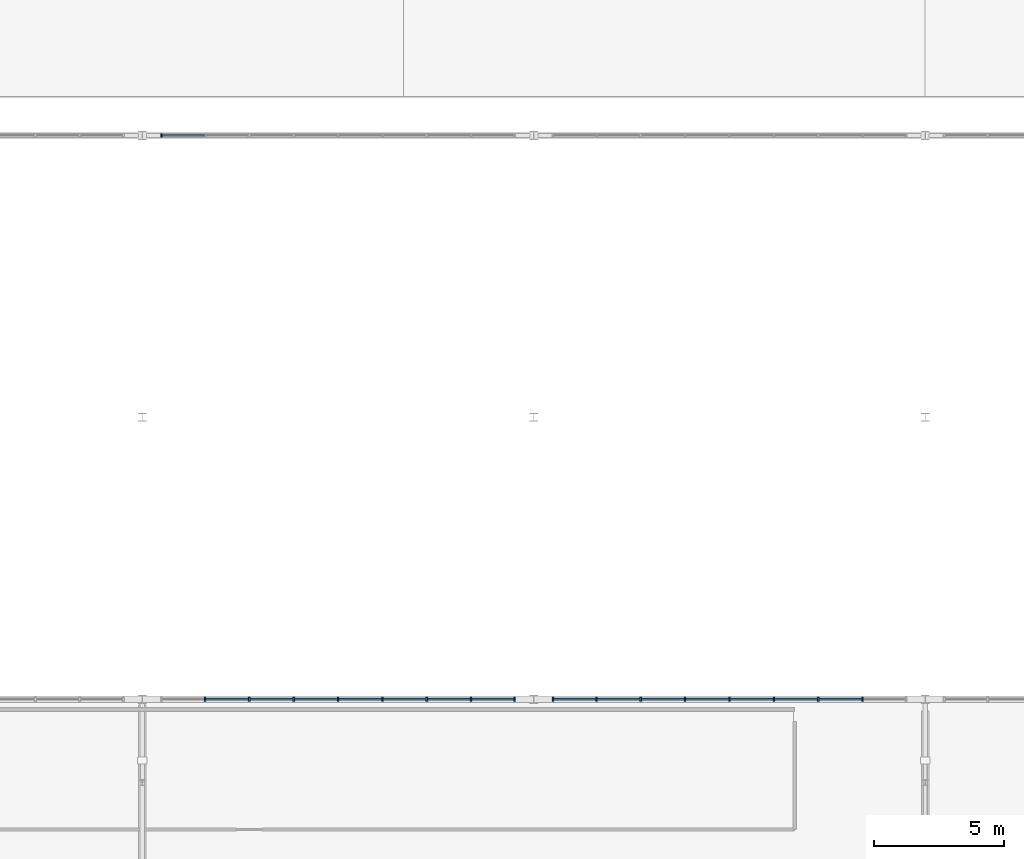
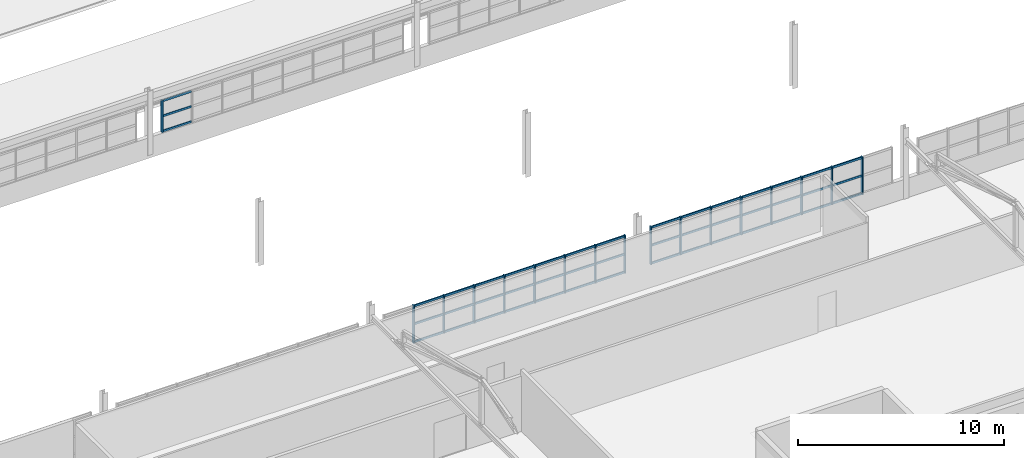
# One storey, part 18 of 90: 62 members, 3 elements without a shape of their own.
"""IFC4 building model written with IfcOpenShell, lengths in metres."""

from ifc_helpers import new_model, si_unit, direction, frame, origin, origin_2d, place, context, subcontext, project, spatial, rectangle, extrude, material, material_profile, profile_set, type_object, element, aggregate, save


model = new_model("IFC4")

# Units and contexts
model_context = context("Model", 3, precision=1e-05, world=origin(), true_north=direction((0.0, 1.0)))
body_context = subcontext(model_context, "Body", "Model", "MODEL_VIEW")
ifc_project = project(units=[si_unit("LENGTHUNIT", "METRE"), si_unit("AREAUNIT", "SQUARE_METRE"), si_unit("VOLUMEUNIT", "CUBIC_METRE"), si_unit("PLANEANGLEUNIT", "RADIAN"), si_unit("MASSUNIT", "GRAM", prefix="KILO")], contexts=[model_context])

# Site, building, storey
site_placement = place(None, origin())
site = spatial("IfcSite", under=ifc_project, at=site_placement, CompositionType="ELEMENT")
building_placement = place(site_placement, origin())
building = spatial("IfcBuilding", under=site, at=building_placement, Name="Solanera Park Tramway Depot", CompositionType="ELEMENT")
storey_placement = place(building_placement, frame((0.0, 0.0, 9.0)))
storey = spatial("IfcBuildingStorey", under=building, at=storey_placement, Name="L02", CompositionType="ELEMENT", Elevation=9.0)

# Curtain wall, member
ifc_material_1 = material(Name="Bronze-anodised thermally broken aluminium curtain wall", Category="aluminium")
curtain_wall_type = type_object("IfcCurtainWallType", Name="Workshop Daylight Ribbon Curtain Wall", PredefinedType="NOTDEFINED", material=ifc_material_1)
curtain_wall_1_placement = place(storey_placement, origin())
curtain_wall_1 = element("IfcCurtainWall", 1, at=curtain_wall_1_placement, inside=storey, type_object=curtain_wall_type, Name="L02 Workshop Daylight Ribbon Curtain Wall #156", PredefinedType="NOTDEFINED")
ifc_material_2 = material(Name="Bronze-anodised structural aluminium 6063-T6", Category="aluminium")
ifc_material_profile_1 = material_profile(ifc_material_2, rectangle(XDim=0.06494140625, YDim=0.14990234375, at=origin_2d()), Name="Curtain Wall Mullion 65x150")
ifc_profile_set_1 = profile_set([ifc_material_profile_1], Name="Bronze-anodised structural aluminium 6063-T6")
member_type_1 = type_object("IfcMemberType", Name="Curtain Wall Mullion 65x150", PredefinedType="MULLION", material=ifc_profile_set_1)
member_1_placement = place(storey_placement, frame((30.732421875, 54.0, 1.0), z_axis=(0.0, 0.0, 1.0), x_axis=(1.0, 0.0, 0.0)))
member_1 = element("IfcMember", 2, at=member_1_placement, type_object=member_type_1, Name="CW-L02-156 Mullion 9", PredefinedType="MULLION", context=body_context, shape_type="SweptSolid", body=[
    extrude(rectangle(XDim=0.06494140625, YDim=0.14990234375, at=origin_2d()), origin(), (0.0, 0.0, 1.0), 1.919921875),
])

# Curtain wall, members
curtain_wall_2_placement = place(storey_placement, origin())
curtain_wall_2 = element("IfcCurtainWall", 3, at=curtain_wall_2_placement, inside=storey, type_object=curtain_wall_type, Name="L02 Workshop Daylight Ribbon Curtain Wall #157", PredefinedType="NOTDEFINED")
member_2_placement = place(storey_placement, frame((32.39990234375, 32.39990234375, 1.0), z_axis=(0.0, 0.0, 1.0), x_axis=(1.0, 0.0, 0.0)))
member_2 = element("IfcMember", 4, at=member_2_placement, type_object=member_type_1, Name="CW-L02-157 Mullion 2", PredefinedType="MULLION", context=body_context, shape_type="SweptSolid", body=[
    extrude(rectangle(XDim=0.06494140625, YDim=0.14990234375, at=origin_2d()), origin(), (0.0, 0.0, 1.0), 2.25),
])
member_3_placement = place(storey_placement, frame((34.10009765625, 32.39990234375, 1.0), z_axis=(0.0, 0.0, 1.0), x_axis=(1.0, 0.0, 0.0)))
member_3 = element("IfcMember", 5, at=member_3_placement, type_object=member_type_1, Name="CW-L02-157 Mullion 3", PredefinedType="MULLION", context=body_context, shape_type="SweptSolid", body=[
    extrude(rectangle(XDim=0.06494140625, YDim=0.14990234375, at=origin_2d()), origin(), (0.0, 0.0, 1.0), 2.25),
])
member_4_placement = place(storey_placement, frame((35.800048828125, 32.39990234375, 1.0), z_axis=(0.0, 0.0, 1.0), x_axis=(1.0, 0.0, 0.0)))
member_4 = element("IfcMember", 6, at=member_4_placement, type_object=member_type_1, Name="CW-L02-157 Mullion 4", PredefinedType="MULLION", context=body_context, shape_type="SweptSolid", body=[
    extrude(rectangle(XDim=0.06494140625, YDim=0.14990234375, at=origin_2d()), origin(), (0.0, 0.0, 1.0), 2.25),
])
member_5_placement = place(storey_placement, frame((37.5, 32.39990234375, 1.0), z_axis=(0.0, 0.0, 1.0), x_axis=(1.0, 0.0, 0.0)))
member_5 = element("IfcMember", 7, at=member_5_placement, type_object=member_type_1, Name="CW-L02-157 Mullion 5", PredefinedType="MULLION", context=body_context, shape_type="SweptSolid", body=[
    extrude(rectangle(XDim=0.06494140625, YDim=0.14990234375, at=origin_2d()), origin(), (0.0, 0.0, 1.0), 2.25),
])
member_6_placement = place(storey_placement, frame((39.199951171875, 32.39990234375, 1.0), z_axis=(0.0, 0.0, 1.0), x_axis=(1.0, 0.0, 0.0)))
member_6 = element("IfcMember", 8, at=member_6_placement, type_object=member_type_1, Name="CW-L02-157 Mullion 6", PredefinedType="MULLION", context=body_context, shape_type="SweptSolid", body=[
    extrude(rectangle(XDim=0.06494140625, YDim=0.14990234375, at=origin_2d()), origin(), (0.0, 0.0, 1.0), 2.25),
])
member_7_placement = place(storey_placement, frame((40.89990234375, 32.39990234375, 1.0), z_axis=(0.0, 0.0, 1.0), x_axis=(1.0, 0.0, 0.0)))
member_7 = element("IfcMember", 9, at=member_7_placement, type_object=member_type_1, Name="CW-L02-157 Mullion 7", PredefinedType="MULLION", context=body_context, shape_type="SweptSolid", body=[
    extrude(rectangle(XDim=0.06494140625, YDim=0.14990234375, at=origin_2d()), origin(), (0.0, 0.0, 1.0), 2.25),
])
member_8_placement = place(storey_placement, frame((42.60009765625, 32.39990234375, 1.0), z_axis=(0.0, 0.0, 1.0), x_axis=(1.0, 0.0, 0.0)))
member_8 = element("IfcMember", 10, at=member_8_placement, type_object=member_type_1, Name="CW-L02-157 Mullion 8", PredefinedType="MULLION", context=body_context, shape_type="SweptSolid", body=[
    extrude(rectangle(XDim=0.06494140625, YDim=0.14990234375, at=origin_2d()), origin(), (0.0, 0.0, 1.0), 2.25),
])
member_9_placement = place(storey_placement, frame((44.267578125, 32.39990234375, 1.0), z_axis=(0.0, 0.0, 1.0), x_axis=(1.0, 0.0, 0.0)))
member_9 = element("IfcMember", 11, at=member_9_placement, type_object=member_type_1, Name="CW-L02-157 Mullion 9", PredefinedType="MULLION", context=body_context, shape_type="SweptSolid", body=[
    extrude(rectangle(XDim=0.06494140625, YDim=0.14990234375, at=origin_2d()), origin(), (0.0, 0.0, 1.0), 2.25),
])

curtain_wall_3_placement = place(storey_placement, origin())
curtain_wall_3 = element("IfcCurtainWall", 12, at=curtain_wall_3_placement, inside=storey, type_object=curtain_wall_type, Name="L02 Workshop Daylight Ribbon Curtain Wall #159", PredefinedType="NOTDEFINED")
member_10_placement = place(storey_placement, frame((45.732421875, 32.39990234375, 1.0), z_axis=(0.0, 0.0, 1.0), x_axis=(1.0, 0.0, 0.0)))
member_10 = element("IfcMember", 13, at=member_10_placement, type_object=member_type_1, Name="CW-L02-159 Mullion 1", PredefinedType="MULLION", context=body_context, shape_type="SweptSolid", body=[
    extrude(rectangle(XDim=0.06494140625, YDim=0.14990234375, at=origin_2d()), origin(), (0.0, 0.0, 1.0), 2.25),
])
member_11_placement = place(storey_placement, frame((47.39990234375, 32.39990234375, 1.0), z_axis=(0.0, 0.0, 1.0), x_axis=(1.0, 0.0, 0.0)))
member_11 = element("IfcMember", 14, at=member_11_placement, type_object=member_type_1, Name="CW-L02-159 Mullion 2", PredefinedType="MULLION", context=body_context, shape_type="SweptSolid", body=[
    extrude(rectangle(XDim=0.06494140625, YDim=0.14990234375, at=origin_2d()), origin(), (0.0, 0.0, 1.0), 2.25),
])
member_12_placement = place(storey_placement, frame((49.10009765625, 32.39990234375, 1.0), z_axis=(0.0, 0.0, 1.0), x_axis=(1.0, 0.0, 0.0)))
member_12 = element("IfcMember", 15, at=member_12_placement, type_object=member_type_1, Name="CW-L02-159 Mullion 3", PredefinedType="MULLION", context=body_context, shape_type="SweptSolid", body=[
    extrude(rectangle(XDim=0.06494140625, YDim=0.14990234375, at=origin_2d()), origin(), (0.0, 0.0, 1.0), 2.25),
])
member_13_placement = place(storey_placement, frame((50.800048828125, 32.39990234375, 1.0), z_axis=(0.0, 0.0, 1.0), x_axis=(1.0, 0.0, 0.0)))
member_13 = element("IfcMember", 16, at=member_13_placement, type_object=member_type_1, Name="CW-L02-159 Mullion 4", PredefinedType="MULLION", context=body_context, shape_type="SweptSolid", body=[
    extrude(rectangle(XDim=0.06494140625, YDim=0.14990234375, at=origin_2d()), origin(), (0.0, 0.0, 1.0), 2.25),
])
member_14_placement = place(storey_placement, frame((52.5, 32.39990234375, 1.0), z_axis=(0.0, 0.0, 1.0), x_axis=(1.0, 0.0, 0.0)))
member_14 = element("IfcMember", 17, at=member_14_placement, type_object=member_type_1, Name="CW-L02-159 Mullion 5", PredefinedType="MULLION", context=body_context, shape_type="SweptSolid", body=[
    extrude(rectangle(XDim=0.06494140625, YDim=0.14990234375, at=origin_2d()), origin(), (0.0, 0.0, 1.0), 2.25),
])
member_15_placement = place(storey_placement, frame((54.199951171875, 32.39990234375, 1.0), z_axis=(0.0, 0.0, 1.0), x_axis=(1.0, 0.0, 0.0)))
member_15 = element("IfcMember", 18, at=member_15_placement, type_object=member_type_1, Name="CW-L02-159 Mullion 6", PredefinedType="MULLION", context=body_context, shape_type="SweptSolid", body=[
    extrude(rectangle(XDim=0.06494140625, YDim=0.14990234375, at=origin_2d()), origin(), (0.0, 0.0, 1.0), 2.25),
])
member_16_placement = place(storey_placement, frame((55.89990234375, 32.39990234375, 1.0), z_axis=(0.0, 0.0, 1.0), x_axis=(1.0, 0.0, 0.0)))
member_16 = element("IfcMember", 19, at=member_16_placement, type_object=member_type_1, Name="CW-L02-159 Mullion 7", PredefinedType="MULLION", context=body_context, shape_type="SweptSolid", body=[
    extrude(rectangle(XDim=0.06494140625, YDim=0.14990234375, at=origin_2d()), origin(), (0.0, 0.0, 1.0), 2.25),
])
member_17_placement = place(storey_placement, frame((57.60009765625, 32.39990234375, 1.0), z_axis=(0.0, 0.0, 1.0), x_axis=(1.0, 0.0, 0.0)))
member_17 = element("IfcMember", 20, at=member_17_placement, type_object=member_type_1, Name="CW-L02-159 Mullion 8", PredefinedType="MULLION", context=body_context, shape_type="SweptSolid", body=[
    extrude(rectangle(XDim=0.06494140625, YDim=0.14990234375, at=origin_2d()), origin(), (0.0, 0.0, 1.0), 2.25),
])

# Member
ifc_material_3 = material(Name="Bronze-anodised structural aluminium 6063-T6", Category="aluminium")
ifc_material_profile_2 = material_profile(ifc_material_3, rectangle(XDim=0.06494140625, YDim=0.1201171875, at=origin_2d()), Name="Curtain Wall Transom 65x120")
ifc_profile_set_2 = profile_set([ifc_material_profile_2], Name="Bronze-anodised structural aluminium 6063-T6")
member_type_2 = type_object("IfcMemberType", Name="Curtain Wall Transom 65x120", PredefinedType="USERDEFINED", material=ifc_profile_set_2)
member_18_placement = place(storey_placement, frame((32.3720703125, 54.0, 1.06005859375), z_axis=(-1.0, 0.0, 0.0), x_axis=(0.0, -1.0, 0.0)))
member_18 = element("IfcMember", 21, at=member_18_placement, type_object=member_type_2, Name="CW-L02-156 Transom R1.C8", ObjectType="TRANSOM", PredefinedType="USERDEFINED", context=body_context, shape_type="SweptSolid", body=[
    extrude(rectangle(XDim=0.06494140625, YDim=0.1201171875, at=origin_2d()), origin(), (0.0, 0.0, 1.0), 1.611572265625),
])

member_19_placement = place(storey_placement, frame((32.3720703125, 54.0, 1.9599609375), z_axis=(-1.0, 0.0, 0.0), x_axis=(0.0, -1.0, 0.0)))
member_19 = element("IfcMember", 22, at=member_19_placement, type_object=member_type_2, Name="CW-L02-156 Transom R2.C8", ObjectType="TRANSOM", PredefinedType="USERDEFINED", context=body_context, shape_type="SweptSolid", body=[
    extrude(rectangle(XDim=0.06494140625, YDim=0.1201171875, at=origin_2d()), origin(), (0.0, 0.0, 1.0), 1.611572265625),
])

member_20_placement = place(storey_placement, frame((32.3720703125, 54.0, 2.860107421875), z_axis=(-1.0, 0.0, 0.0), x_axis=(0.0, -1.0, 0.0)))
member_20 = element("IfcMember", 23, at=member_20_placement, type_object=member_type_2, Name="CW-L02-156 Transom R3.C8", ObjectType="TRANSOM", PredefinedType="USERDEFINED", context=body_context, shape_type="SweptSolid", body=[
    extrude(rectangle(XDim=0.06494140625, YDim=0.1201171875, at=origin_2d()), origin(), (0.0, 0.0, 1.0), 1.611572265625),
])

aggregate(curtain_wall_1, [member_1, member_18, member_19, member_20])

member_21_placement = place(storey_placement, frame((32.427978515625, 32.39990234375, 1.06005859375), z_axis=(1.0, 0.0, 0.0), x_axis=(0.0, 1.0, 0.0)))
member_21 = element("IfcMember", 24, at=member_21_placement, type_object=member_type_2, Name="CW-L02-157 Transom R1.C2", ObjectType="TRANSOM", PredefinedType="USERDEFINED", context=body_context, shape_type="SweptSolid", body=[
    extrude(rectangle(XDim=0.06494140625, YDim=0.1201171875, at=origin_2d()), origin(), (0.0, 0.0, 1.0), 1.64404296875),
])

member_22_placement = place(storey_placement, frame((34.1279296875, 32.39990234375, 1.06005859375), z_axis=(1.0, 0.0, 0.0), x_axis=(0.0, 1.0, 0.0)))
member_22 = element("IfcMember", 25, at=member_22_placement, type_object=member_type_2, Name="CW-L02-157 Transom R1.C3", ObjectType="TRANSOM", PredefinedType="USERDEFINED", context=body_context, shape_type="SweptSolid", body=[
    extrude(rectangle(XDim=0.06494140625, YDim=0.1201171875, at=origin_2d()), origin(), (0.0, 0.0, 1.0), 1.64404296875),
])

member_23_placement = place(storey_placement, frame((35.827880859375, 32.39990234375, 1.06005859375), z_axis=(1.0, 0.0, 0.0), x_axis=(0.0, 1.0, 0.0)))
member_23 = element("IfcMember", 26, at=member_23_placement, type_object=member_type_2, Name="CW-L02-157 Transom R1.C4", ObjectType="TRANSOM", PredefinedType="USERDEFINED", context=body_context, shape_type="SweptSolid", body=[
    extrude(rectangle(XDim=0.06494140625, YDim=0.1201171875, at=origin_2d()), origin(), (0.0, 0.0, 1.0), 1.64404296875),
])

member_24_placement = place(storey_placement, frame((37.528076171875, 32.39990234375, 1.06005859375), z_axis=(1.0, 0.0, 0.0), x_axis=(0.0, 1.0, 0.0)))
member_24 = element("IfcMember", 27, at=member_24_placement, type_object=member_type_2, Name="CW-L02-157 Transom R1.C5", ObjectType="TRANSOM", PredefinedType="USERDEFINED", context=body_context, shape_type="SweptSolid", body=[
    extrude(rectangle(XDim=0.06494140625, YDim=0.1201171875, at=origin_2d()), origin(), (0.0, 0.0, 1.0), 1.64404296875),
])

member_25_placement = place(storey_placement, frame((39.22802734375, 32.39990234375, 1.06005859375), z_axis=(1.0, 0.0, 0.0), x_axis=(0.0, 1.0, 0.0)))
member_25 = element("IfcMember", 28, at=member_25_placement, type_object=member_type_2, Name="CW-L02-157 Transom R1.C6", ObjectType="TRANSOM", PredefinedType="USERDEFINED", context=body_context, shape_type="SweptSolid", body=[
    extrude(rectangle(XDim=0.06494140625, YDim=0.1201171875, at=origin_2d()), origin(), (0.0, 0.0, 1.0), 1.64404296875),
])

member_26_placement = place(storey_placement, frame((40.927978515625, 32.39990234375, 1.06005859375), z_axis=(1.0, 0.0, 0.0), x_axis=(0.0, 1.0, 0.0)))
member_26 = element("IfcMember", 29, at=member_26_placement, type_object=member_type_2, Name="CW-L02-157 Transom R1.C7", ObjectType="TRANSOM", PredefinedType="USERDEFINED", context=body_context, shape_type="SweptSolid", body=[
    extrude(rectangle(XDim=0.06494140625, YDim=0.1201171875, at=origin_2d()), origin(), (0.0, 0.0, 1.0), 1.64404296875),
])

member_27_placement = place(storey_placement, frame((42.6279296875, 32.39990234375, 1.06005859375), z_axis=(1.0, 0.0, 0.0), x_axis=(0.0, 1.0, 0.0)))
member_27 = element("IfcMember", 30, at=member_27_placement, type_object=member_type_2, Name="CW-L02-157 Transom R1.C8", ObjectType="TRANSOM", PredefinedType="USERDEFINED", context=body_context, shape_type="SweptSolid", body=[
    extrude(rectangle(XDim=0.06494140625, YDim=0.1201171875, at=origin_2d()), origin(), (0.0, 0.0, 1.0), 1.611572265625),
])

member_28_placement = place(storey_placement, frame((32.427978515625, 32.39990234375, 2.125), z_axis=(1.0, 0.0, 0.0), x_axis=(0.0, 1.0, 0.0)))
member_28 = element("IfcMember", 31, at=member_28_placement, type_object=member_type_2, Name="CW-L02-157 Transom R2.C2", ObjectType="TRANSOM", PredefinedType="USERDEFINED", context=body_context, shape_type="SweptSolid", body=[
    extrude(rectangle(XDim=0.06494140625, YDim=0.1201171875, at=origin_2d()), origin(), (0.0, 0.0, 1.0), 1.64404296875),
])

member_29_placement = place(storey_placement, frame((34.1279296875, 32.39990234375, 2.125), z_axis=(1.0, 0.0, 0.0), x_axis=(0.0, 1.0, 0.0)))
member_29 = element("IfcMember", 32, at=member_29_placement, type_object=member_type_2, Name="CW-L02-157 Transom R2.C3", ObjectType="TRANSOM", PredefinedType="USERDEFINED", context=body_context, shape_type="SweptSolid", body=[
    extrude(rectangle(XDim=0.06494140625, YDim=0.1201171875, at=origin_2d()), origin(), (0.0, 0.0, 1.0), 1.64404296875),
])

member_30_placement = place(storey_placement, frame((35.827880859375, 32.39990234375, 2.125), z_axis=(1.0, 0.0, 0.0), x_axis=(0.0, 1.0, 0.0)))
member_30 = element("IfcMember", 33, at=member_30_placement, type_object=member_type_2, Name="CW-L02-157 Transom R2.C4", ObjectType="TRANSOM", PredefinedType="USERDEFINED", context=body_context, shape_type="SweptSolid", body=[
    extrude(rectangle(XDim=0.06494140625, YDim=0.1201171875, at=origin_2d()), origin(), (0.0, 0.0, 1.0), 1.64404296875),
])

member_31_placement = place(storey_placement, frame((37.528076171875, 32.39990234375, 2.125), z_axis=(1.0, 0.0, 0.0), x_axis=(0.0, 1.0, 0.0)))
member_31 = element("IfcMember", 34, at=member_31_placement, type_object=member_type_2, Name="CW-L02-157 Transom R2.C5", ObjectType="TRANSOM", PredefinedType="USERDEFINED", context=body_context, shape_type="SweptSolid", body=[
    extrude(rectangle(XDim=0.06494140625, YDim=0.1201171875, at=origin_2d()), origin(), (0.0, 0.0, 1.0), 1.64404296875),
])

member_32_placement = place(storey_placement, frame((39.22802734375, 32.39990234375, 2.125), z_axis=(1.0, 0.0, 0.0), x_axis=(0.0, 1.0, 0.0)))
member_32 = element("IfcMember", 35, at=member_32_placement, type_object=member_type_2, Name="CW-L02-157 Transom R2.C6", ObjectType="TRANSOM", PredefinedType="USERDEFINED", context=body_context, shape_type="SweptSolid", body=[
    extrude(rectangle(XDim=0.06494140625, YDim=0.1201171875, at=origin_2d()), origin(), (0.0, 0.0, 1.0), 1.64404296875),
])

member_33_placement = place(storey_placement, frame((40.927978515625, 32.39990234375, 2.125), z_axis=(1.0, 0.0, 0.0), x_axis=(0.0, 1.0, 0.0)))
member_33 = element("IfcMember", 36, at=member_33_placement, type_object=member_type_2, Name="CW-L02-157 Transom R2.C7", ObjectType="TRANSOM", PredefinedType="USERDEFINED", context=body_context, shape_type="SweptSolid", body=[
    extrude(rectangle(XDim=0.06494140625, YDim=0.1201171875, at=origin_2d()), origin(), (0.0, 0.0, 1.0), 1.64404296875),
])

member_34_placement = place(storey_placement, frame((42.6279296875, 32.39990234375, 2.125), z_axis=(1.0, 0.0, 0.0), x_axis=(0.0, 1.0, 0.0)))
member_34 = element("IfcMember", 37, at=member_34_placement, type_object=member_type_2, Name="CW-L02-157 Transom R2.C8", ObjectType="TRANSOM", PredefinedType="USERDEFINED", context=body_context, shape_type="SweptSolid", body=[
    extrude(rectangle(XDim=0.06494140625, YDim=0.1201171875, at=origin_2d()), origin(), (0.0, 0.0, 1.0), 1.611572265625),
])

member_35_placement = place(storey_placement, frame((32.427978515625, 32.39990234375, 3.18994140625), z_axis=(1.0, 0.0, 0.0), x_axis=(0.0, 1.0, 0.0)))
member_35 = element("IfcMember", 38, at=member_35_placement, type_object=member_type_2, Name="CW-L02-157 Transom R3.C2", ObjectType="TRANSOM", PredefinedType="USERDEFINED", context=body_context, shape_type="SweptSolid", body=[
    extrude(rectangle(XDim=0.06494140625, YDim=0.1201171875, at=origin_2d()), origin(), (0.0, 0.0, 1.0), 1.64404296875),
])

member_36_placement = place(storey_placement, frame((34.1279296875, 32.39990234375, 3.18994140625), z_axis=(1.0, 0.0, 0.0), x_axis=(0.0, 1.0, 0.0)))
member_36 = element("IfcMember", 39, at=member_36_placement, type_object=member_type_2, Name="CW-L02-157 Transom R3.C3", ObjectType="TRANSOM", PredefinedType="USERDEFINED", context=body_context, shape_type="SweptSolid", body=[
    extrude(rectangle(XDim=0.06494140625, YDim=0.1201171875, at=origin_2d()), origin(), (0.0, 0.0, 1.0), 1.64404296875),
])

member_37_placement = place(storey_placement, frame((35.827880859375, 32.39990234375, 3.18994140625), z_axis=(1.0, 0.0, 0.0), x_axis=(0.0, 1.0, 0.0)))
member_37 = element("IfcMember", 40, at=member_37_placement, type_object=member_type_2, Name="CW-L02-157 Transom R3.C4", ObjectType="TRANSOM", PredefinedType="USERDEFINED", context=body_context, shape_type="SweptSolid", body=[
    extrude(rectangle(XDim=0.06494140625, YDim=0.1201171875, at=origin_2d()), origin(), (0.0, 0.0, 1.0), 1.64404296875),
])

member_38_placement = place(storey_placement, frame((37.528076171875, 32.39990234375, 3.18994140625), z_axis=(1.0, 0.0, 0.0), x_axis=(0.0, 1.0, 0.0)))
member_38 = element("IfcMember", 41, at=member_38_placement, type_object=member_type_2, Name="CW-L02-157 Transom R3.C5", ObjectType="TRANSOM", PredefinedType="USERDEFINED", context=body_context, shape_type="SweptSolid", body=[
    extrude(rectangle(XDim=0.06494140625, YDim=0.1201171875, at=origin_2d()), origin(), (0.0, 0.0, 1.0), 1.64404296875),
])

member_39_placement = place(storey_placement, frame((39.22802734375, 32.39990234375, 3.18994140625), z_axis=(1.0, 0.0, 0.0), x_axis=(0.0, 1.0, 0.0)))
member_39 = element("IfcMember", 42, at=member_39_placement, type_object=member_type_2, Name="CW-L02-157 Transom R3.C6", ObjectType="TRANSOM", PredefinedType="USERDEFINED", context=body_context, shape_type="SweptSolid", body=[
    extrude(rectangle(XDim=0.06494140625, YDim=0.1201171875, at=origin_2d()), origin(), (0.0, 0.0, 1.0), 1.64404296875),
])

member_40_placement = place(storey_placement, frame((40.927978515625, 32.39990234375, 3.18994140625), z_axis=(1.0, 0.0, 0.0), x_axis=(0.0, 1.0, 0.0)))
member_40 = element("IfcMember", 43, at=member_40_placement, type_object=member_type_2, Name="CW-L02-157 Transom R3.C7", ObjectType="TRANSOM", PredefinedType="USERDEFINED", context=body_context, shape_type="SweptSolid", body=[
    extrude(rectangle(XDim=0.06494140625, YDim=0.1201171875, at=origin_2d()), origin(), (0.0, 0.0, 1.0), 1.64404296875),
])

member_41_placement = place(storey_placement, frame((42.6279296875, 32.39990234375, 3.18994140625), z_axis=(1.0, 0.0, 0.0), x_axis=(0.0, 1.0, 0.0)))
member_41 = element("IfcMember", 44, at=member_41_placement, type_object=member_type_2, Name="CW-L02-157 Transom R3.C8", ObjectType="TRANSOM", PredefinedType="USERDEFINED", context=body_context, shape_type="SweptSolid", body=[
    extrude(rectangle(XDim=0.06494140625, YDim=0.1201171875, at=origin_2d()), origin(), (0.0, 0.0, 1.0), 1.611572265625),
])

aggregate(curtain_wall_2, [member_2, member_3, member_4, member_5, member_6, member_7, member_8, member_9, member_21, member_22, member_23, member_24, member_25, member_26, member_27, member_28, member_29, member_30, member_31, member_32, member_33, member_34, member_35, member_36, member_37, member_38, member_39, member_40, member_41])

member_42_placement = place(storey_placement, frame((45.760498046875, 32.39990234375, 1.06005859375), z_axis=(1.0, 0.0, 0.0), x_axis=(0.0, 1.0, 0.0)))
member_42 = element("IfcMember", 45, at=member_42_placement, type_object=member_type_2, Name="CW-L02-159 Transom R1.C1", ObjectType="TRANSOM", PredefinedType="USERDEFINED", context=body_context, shape_type="SweptSolid", body=[
    extrude(rectangle(XDim=0.06494140625, YDim=0.1201171875, at=origin_2d()), origin(), (0.0, 0.0, 1.0), 1.611572265625),
])

member_43_placement = place(storey_placement, frame((47.427978515625, 32.39990234375, 1.06005859375), z_axis=(1.0, 0.0, 0.0), x_axis=(0.0, 1.0, 0.0)))
member_43 = element("IfcMember", 46, at=member_43_placement, type_object=member_type_2, Name="CW-L02-159 Transom R1.C2", ObjectType="TRANSOM", PredefinedType="USERDEFINED", context=body_context, shape_type="SweptSolid", body=[
    extrude(rectangle(XDim=0.06494140625, YDim=0.1201171875, at=origin_2d()), origin(), (0.0, 0.0, 1.0), 1.64404296875),
])

member_44_placement = place(storey_placement, frame((49.1279296875, 32.39990234375, 1.06005859375), z_axis=(1.0, 0.0, 0.0), x_axis=(0.0, 1.0, 0.0)))
member_44 = element("IfcMember", 47, at=member_44_placement, type_object=member_type_2, Name="CW-L02-159 Transom R1.C3", ObjectType="TRANSOM", PredefinedType="USERDEFINED", context=body_context, shape_type="SweptSolid", body=[
    extrude(rectangle(XDim=0.06494140625, YDim=0.1201171875, at=origin_2d()), origin(), (0.0, 0.0, 1.0), 1.64404296875),
])

member_45_placement = place(storey_placement, frame((50.827880859375, 32.39990234375, 1.06005859375), z_axis=(1.0, 0.0, 0.0), x_axis=(0.0, 1.0, 0.0)))
member_45 = element("IfcMember", 48, at=member_45_placement, type_object=member_type_2, Name="CW-L02-159 Transom R1.C4", ObjectType="TRANSOM", PredefinedType="USERDEFINED", context=body_context, shape_type="SweptSolid", body=[
    extrude(rectangle(XDim=0.06494140625, YDim=0.1201171875, at=origin_2d()), origin(), (0.0, 0.0, 1.0), 1.64404296875),
])

member_46_placement = place(storey_placement, frame((52.528076171875, 32.39990234375, 1.06005859375), z_axis=(1.0, 0.0, 0.0), x_axis=(0.0, 1.0, 0.0)))
member_46 = element("IfcMember", 49, at=member_46_placement, type_object=member_type_2, Name="CW-L02-159 Transom R1.C5", ObjectType="TRANSOM", PredefinedType="USERDEFINED", context=body_context, shape_type="SweptSolid", body=[
    extrude(rectangle(XDim=0.06494140625, YDim=0.1201171875, at=origin_2d()), origin(), (0.0, 0.0, 1.0), 1.64404296875),
])

member_47_placement = place(storey_placement, frame((54.22802734375, 32.39990234375, 1.06005859375), z_axis=(1.0, 0.0, 0.0), x_axis=(0.0, 1.0, 0.0)))
member_47 = element("IfcMember", 50, at=member_47_placement, type_object=member_type_2, Name="CW-L02-159 Transom R1.C6", ObjectType="TRANSOM", PredefinedType="USERDEFINED", context=body_context, shape_type="SweptSolid", body=[
    extrude(rectangle(XDim=0.06494140625, YDim=0.1201171875, at=origin_2d()), origin(), (0.0, 0.0, 1.0), 1.64404296875),
])

member_48_placement = place(storey_placement, frame((55.927978515625, 32.39990234375, 1.06005859375), z_axis=(1.0, 0.0, 0.0), x_axis=(0.0, 1.0, 0.0)))
member_48 = element("IfcMember", 51, at=member_48_placement, type_object=member_type_2, Name="CW-L02-159 Transom R1.C7", ObjectType="TRANSOM", PredefinedType="USERDEFINED", context=body_context, shape_type="SweptSolid", body=[
    extrude(rectangle(XDim=0.06494140625, YDim=0.1201171875, at=origin_2d()), origin(), (0.0, 0.0, 1.0), 1.64404296875),
])

member_49_placement = place(storey_placement, frame((45.760498046875, 32.39990234375, 2.125), z_axis=(1.0, 0.0, 0.0), x_axis=(0.0, 1.0, 0.0)))
member_49 = element("IfcMember", 52, at=member_49_placement, type_object=member_type_2, Name="CW-L02-159 Transom R2.C1", ObjectType="TRANSOM", PredefinedType="USERDEFINED", context=body_context, shape_type="SweptSolid", body=[
    extrude(rectangle(XDim=0.06494140625, YDim=0.1201171875, at=origin_2d()), origin(), (0.0, 0.0, 1.0), 1.611572265625),
])

member_50_placement = place(storey_placement, frame((47.427978515625, 32.39990234375, 2.125), z_axis=(1.0, 0.0, 0.0), x_axis=(0.0, 1.0, 0.0)))
member_50 = element("IfcMember", 53, at=member_50_placement, type_object=member_type_2, Name="CW-L02-159 Transom R2.C2", ObjectType="TRANSOM", PredefinedType="USERDEFINED", context=body_context, shape_type="SweptSolid", body=[
    extrude(rectangle(XDim=0.06494140625, YDim=0.1201171875, at=origin_2d()), origin(), (0.0, 0.0, 1.0), 1.64404296875),
])

member_51_placement = place(storey_placement, frame((49.1279296875, 32.39990234375, 2.125), z_axis=(1.0, 0.0, 0.0), x_axis=(0.0, 1.0, 0.0)))
member_51 = element("IfcMember", 54, at=member_51_placement, type_object=member_type_2, Name="CW-L02-159 Transom R2.C3", ObjectType="TRANSOM", PredefinedType="USERDEFINED", context=body_context, shape_type="SweptSolid", body=[
    extrude(rectangle(XDim=0.06494140625, YDim=0.1201171875, at=origin_2d()), origin(), (0.0, 0.0, 1.0), 1.64404296875),
])

member_52_placement = place(storey_placement, frame((50.827880859375, 32.39990234375, 2.125), z_axis=(1.0, 0.0, 0.0), x_axis=(0.0, 1.0, 0.0)))
member_52 = element("IfcMember", 55, at=member_52_placement, type_object=member_type_2, Name="CW-L02-159 Transom R2.C4", ObjectType="TRANSOM", PredefinedType="USERDEFINED", context=body_context, shape_type="SweptSolid", body=[
    extrude(rectangle(XDim=0.06494140625, YDim=0.1201171875, at=origin_2d()), origin(), (0.0, 0.0, 1.0), 1.64404296875),
])

member_53_placement = place(storey_placement, frame((52.528076171875, 32.39990234375, 2.125), z_axis=(1.0, 0.0, 0.0), x_axis=(0.0, 1.0, 0.0)))
member_53 = element("IfcMember", 56, at=member_53_placement, type_object=member_type_2, Name="CW-L02-159 Transom R2.C5", ObjectType="TRANSOM", PredefinedType="USERDEFINED", context=body_context, shape_type="SweptSolid", body=[
    extrude(rectangle(XDim=0.06494140625, YDim=0.1201171875, at=origin_2d()), origin(), (0.0, 0.0, 1.0), 1.64404296875),
])

member_54_placement = place(storey_placement, frame((54.22802734375, 32.39990234375, 2.125), z_axis=(1.0, 0.0, 0.0), x_axis=(0.0, 1.0, 0.0)))
member_54 = element("IfcMember", 57, at=member_54_placement, type_object=member_type_2, Name="CW-L02-159 Transom R2.C6", ObjectType="TRANSOM", PredefinedType="USERDEFINED", context=body_context, shape_type="SweptSolid", body=[
    extrude(rectangle(XDim=0.06494140625, YDim=0.1201171875, at=origin_2d()), origin(), (0.0, 0.0, 1.0), 1.64404296875),
])

member_55_placement = place(storey_placement, frame((55.927978515625, 32.39990234375, 2.125), z_axis=(1.0, 0.0, 0.0), x_axis=(0.0, 1.0, 0.0)))
member_55 = element("IfcMember", 58, at=member_55_placement, type_object=member_type_2, Name="CW-L02-159 Transom R2.C7", ObjectType="TRANSOM", PredefinedType="USERDEFINED", context=body_context, shape_type="SweptSolid", body=[
    extrude(rectangle(XDim=0.06494140625, YDim=0.1201171875, at=origin_2d()), origin(), (0.0, 0.0, 1.0), 1.64404296875),
])

member_56_placement = place(storey_placement, frame((45.760498046875, 32.39990234375, 3.18994140625), z_axis=(1.0, 0.0, 0.0), x_axis=(0.0, 1.0, 0.0)))
member_56 = element("IfcMember", 59, at=member_56_placement, type_object=member_type_2, Name="CW-L02-159 Transom R3.C1", ObjectType="TRANSOM", PredefinedType="USERDEFINED", context=body_context, shape_type="SweptSolid", body=[
    extrude(rectangle(XDim=0.06494140625, YDim=0.1201171875, at=origin_2d()), origin(), (0.0, 0.0, 1.0), 1.611572265625),
])

member_57_placement = place(storey_placement, frame((47.427978515625, 32.39990234375, 3.18994140625), z_axis=(1.0, 0.0, 0.0), x_axis=(0.0, 1.0, 0.0)))
member_57 = element("IfcMember", 60, at=member_57_placement, type_object=member_type_2, Name="CW-L02-159 Transom R3.C2", ObjectType="TRANSOM", PredefinedType="USERDEFINED", context=body_context, shape_type="SweptSolid", body=[
    extrude(rectangle(XDim=0.06494140625, YDim=0.1201171875, at=origin_2d()), origin(), (0.0, 0.0, 1.0), 1.64404296875),
])

member_58_placement = place(storey_placement, frame((49.1279296875, 32.39990234375, 3.18994140625), z_axis=(1.0, 0.0, 0.0), x_axis=(0.0, 1.0, 0.0)))
member_58 = element("IfcMember", 61, at=member_58_placement, type_object=member_type_2, Name="CW-L02-159 Transom R3.C3", ObjectType="TRANSOM", PredefinedType="USERDEFINED", context=body_context, shape_type="SweptSolid", body=[
    extrude(rectangle(XDim=0.06494140625, YDim=0.1201171875, at=origin_2d()), origin(), (0.0, 0.0, 1.0), 1.64404296875),
])

member_59_placement = place(storey_placement, frame((50.827880859375, 32.39990234375, 3.18994140625), z_axis=(1.0, 0.0, 0.0), x_axis=(0.0, 1.0, 0.0)))
member_59 = element("IfcMember", 62, at=member_59_placement, type_object=member_type_2, Name="CW-L02-159 Transom R3.C4", ObjectType="TRANSOM", PredefinedType="USERDEFINED", context=body_context, shape_type="SweptSolid", body=[
    extrude(rectangle(XDim=0.06494140625, YDim=0.1201171875, at=origin_2d()), origin(), (0.0, 0.0, 1.0), 1.64404296875),
])

member_60_placement = place(storey_placement, frame((52.528076171875, 32.39990234375, 3.18994140625), z_axis=(1.0, 0.0, 0.0), x_axis=(0.0, 1.0, 0.0)))
member_60 = element("IfcMember", 63, at=member_60_placement, type_object=member_type_2, Name="CW-L02-159 Transom R3.C5", ObjectType="TRANSOM", PredefinedType="USERDEFINED", context=body_context, shape_type="SweptSolid", body=[
    extrude(rectangle(XDim=0.06494140625, YDim=0.1201171875, at=origin_2d()), origin(), (0.0, 0.0, 1.0), 1.64404296875),
])

member_61_placement = place(storey_placement, frame((54.22802734375, 32.39990234375, 3.18994140625), z_axis=(1.0, 0.0, 0.0), x_axis=(0.0, 1.0, 0.0)))
member_61 = element("IfcMember", 64, at=member_61_placement, type_object=member_type_2, Name="CW-L02-159 Transom R3.C6", ObjectType="TRANSOM", PredefinedType="USERDEFINED", context=body_context, shape_type="SweptSolid", body=[
    extrude(rectangle(XDim=0.06494140625, YDim=0.1201171875, at=origin_2d()), origin(), (0.0, 0.0, 1.0), 1.64404296875),
])

member_62_placement = place(storey_placement, frame((55.927978515625, 32.39990234375, 3.18994140625), z_axis=(1.0, 0.0, 0.0), x_axis=(0.0, 1.0, 0.0)))
member_62 = element("IfcMember", 65, at=member_62_placement, type_object=member_type_2, Name="CW-L02-159 Transom R3.C7", ObjectType="TRANSOM", PredefinedType="USERDEFINED", context=body_context, shape_type="SweptSolid", body=[
    extrude(rectangle(XDim=0.06494140625, YDim=0.1201171875, at=origin_2d()), origin(), (0.0, 0.0, 1.0), 1.64404296875),
])

aggregate(curtain_wall_3, [member_10, member_11, member_12, member_13, member_14, member_15, member_16, member_17, member_42, member_43, member_44, member_45, member_46, member_47, member_48, member_49, member_50, member_51, member_52, member_53, member_54, member_55, member_56, member_57, member_58, member_59, member_60, member_61, member_62])

save(model, "model.ifc")
